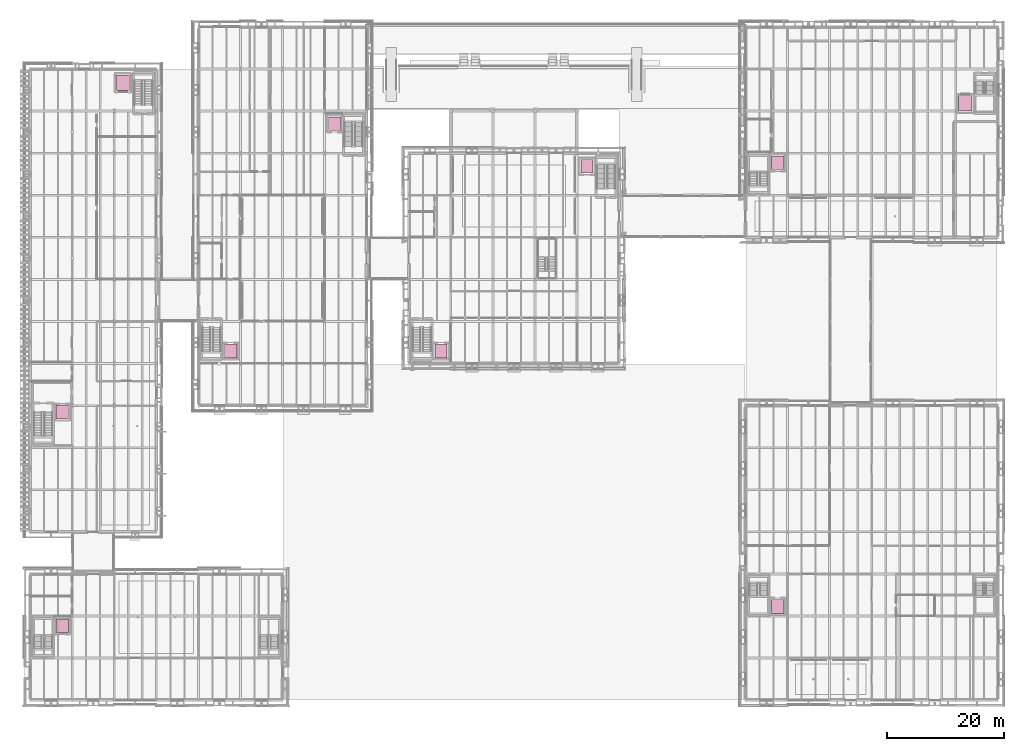
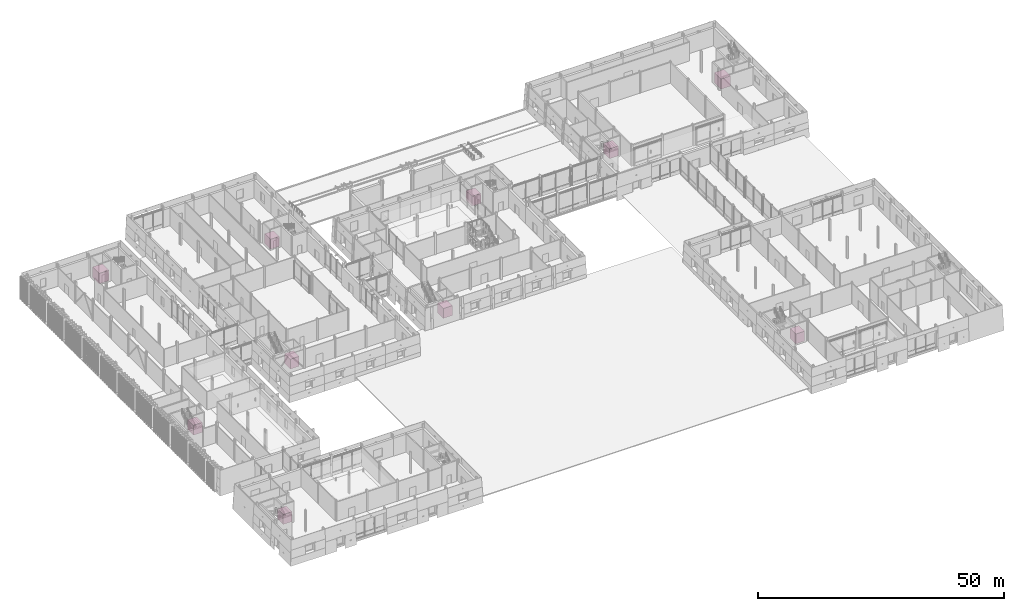
# One storey, part 120 of 120: 10 transport elements.
"""IFC4 building model written with IfcOpenShell, lengths in metres."""

from ifc_helpers import new_model, si_unit, direction, frame, origin, origin_2d, place, context, subcontext, project, spatial, rectangle, extrude, material, type_object, element, save


model = new_model("IFC4")

# Units and contexts
model_context = context("Model", 3, precision=1e-05, world=origin(), true_north=direction((0.0, 1.0)))
body_context = subcontext(model_context, "Body", "Model", "MODEL_VIEW")
ifc_project = project(units=[si_unit("LENGTHUNIT", "METRE"), si_unit("AREAUNIT", "SQUARE_METRE"), si_unit("VOLUMEUNIT", "CUBIC_METRE"), si_unit("PLANEANGLEUNIT", "RADIAN"), si_unit("MASSUNIT", "GRAM", prefix="KILO")], contexts=[model_context])

# Site, building, storey
site_placement = place(None, origin())
site = spatial("IfcSite", under=ifc_project, at=site_placement, CompositionType="ELEMENT")
building_placement = place(site_placement, origin())
building = spatial("IfcBuilding", under=site, at=building_placement, Name="Narikvali Park Central Library", CompositionType="ELEMENT")
storey_placement = place(building_placement, origin())
storey = spatial("IfcBuildingStorey", under=building, at=storey_placement, Name="L00", CompositionType="ELEMENT", Elevation=0.0)

# Transport elements
ifc_material = material(Name="Brushed Stainless Steel S355", Category="steel")
transport_element_type_1 = type_object("IfcTransportElementType", Name="Accessible Stretcher Passenger Lift 1950x2150", PredefinedType="ELEVATOR", material=ifc_material)
for number, where, z_axis, x_axis, name in (
    (1, (70.324951171875, 59.75, 0.0), (0.0, 0.0, 1.0), (1.0, 0.0, 0.0), "Passenger Lift L-01"),
    (2, (95.27490234375, 91.35009765625, 0.0), (0.0, 0.0, 1.0), (1.0, 0.0, 0.0), "Passenger Lift L-02"),
    (3, (5.52490234375, 12.75, 0.0), (0.0, 0.0, 1.0), (1.0, 0.0, 0.0), "Passenger Lift L-03"),
    (4, (127.925048828125, 91.949951171875, 0.0), (0.0, 0.0, 1.0), (1.0, 0.0, 0.0), "Passenger Lift L-04"),
    (5, (34.324951171875, 59.75, 0.0), (0.0, 0.0, 1.0), (1.0, 0.0, 0.0), "Passenger Lift L-05"),
    (6, (52.125, 98.64990234375, 0.0), (0.0, 0.0, 1.0), (1.0, 0.0, 0.0), "Passenger Lift L-06"),
    (7, (127.925048828125, 16.050048828125, 0.0), (0.0, 0.0, 1.0), (1.0, 0.0, 0.0), "Passenger Lift L-07"),
):
    element("IfcTransportElement", number, at=place(storey_placement, frame(where, z_axis=z_axis, x_axis=x_axis)), inside=storey, type_object=transport_element_type_1, Name=name, PredefinedType="ELEVATOR", context=body_context, shape_type="SweptSolid", body=[
        extrude(rectangle(XDim=2.10009765625, YDim=2.35009765625, at=origin_2d()), origin(), (0.0, 0.0, 1.0), 2.449951171875),
    ])
transport_element_type_2 = type_object("IfcTransportElementType", Name="Firefighting Stretcher Lift 1950x2150", PredefinedType="ELEVATOR", material=ifc_material)
transport_element_placement = place(storey_placement, frame((5.52490234375, 49.300048828125, 0.0), z_axis=(0.0, 0.0, 1.0), x_axis=(1.0, 0.0, 0.0)))
element("IfcTransportElement", 8, at=transport_element_placement, inside=storey, type_object=transport_element_type_2, Name="Firefighting Lift FF-01", PredefinedType="ELEVATOR", context=body_context, shape_type="SweptSolid", body=[
    extrude(rectangle(XDim=2.10009765625, YDim=2.35009765625, at=origin_2d()), origin(), (0.0, 0.0, 1.0), 2.449951171875),
])
transport_element_type_3 = type_object("IfcTransportElementType", Name="Heavy Book Goods Lift 2150x2550", PredefinedType="ELEVATOR", material=ifc_material)
for number, where, z_axis, x_axis, name in (
    (9, (160.02490234375, 102.125, 0.0), (0.0, 0.0, 1.0), (1.0, 0.0, 0.0), "Goods Lift GL-01"),
    (10, (15.89501953125, 105.625, 0.0), (0.0, 0.0, 1.0), (1.0, 0.0, 0.0), "Goods Lift GL-02"),
):
    element("IfcTransportElement", number, at=place(storey_placement, frame(where, z_axis=z_axis, x_axis=x_axis)), inside=storey, type_object=transport_element_type_3, Name=name, PredefinedType="ELEVATOR", context=body_context, shape_type="SweptSolid", body=[
        extrude(rectangle(XDim=2.300048828125, YDim=2.699951171875, at=origin_2d()), origin(), (0.0, 0.0, 1.0), 2.550048828125),
    ])

save(model, "model.ifc")
